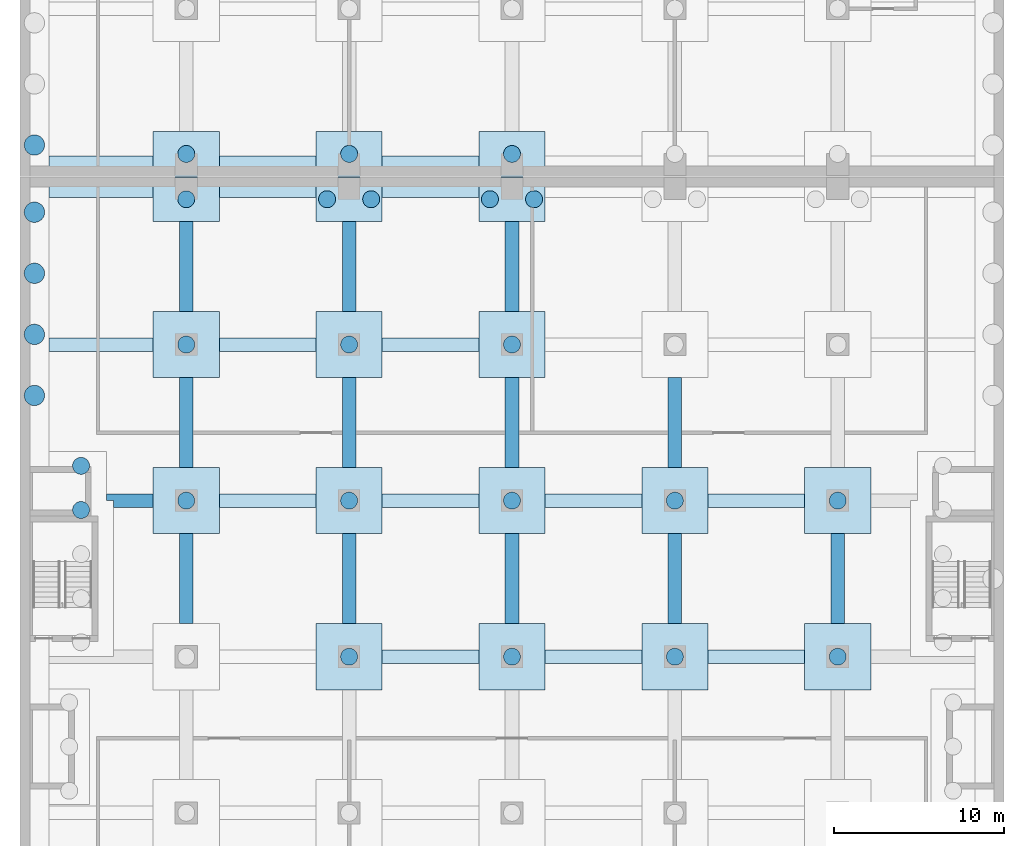
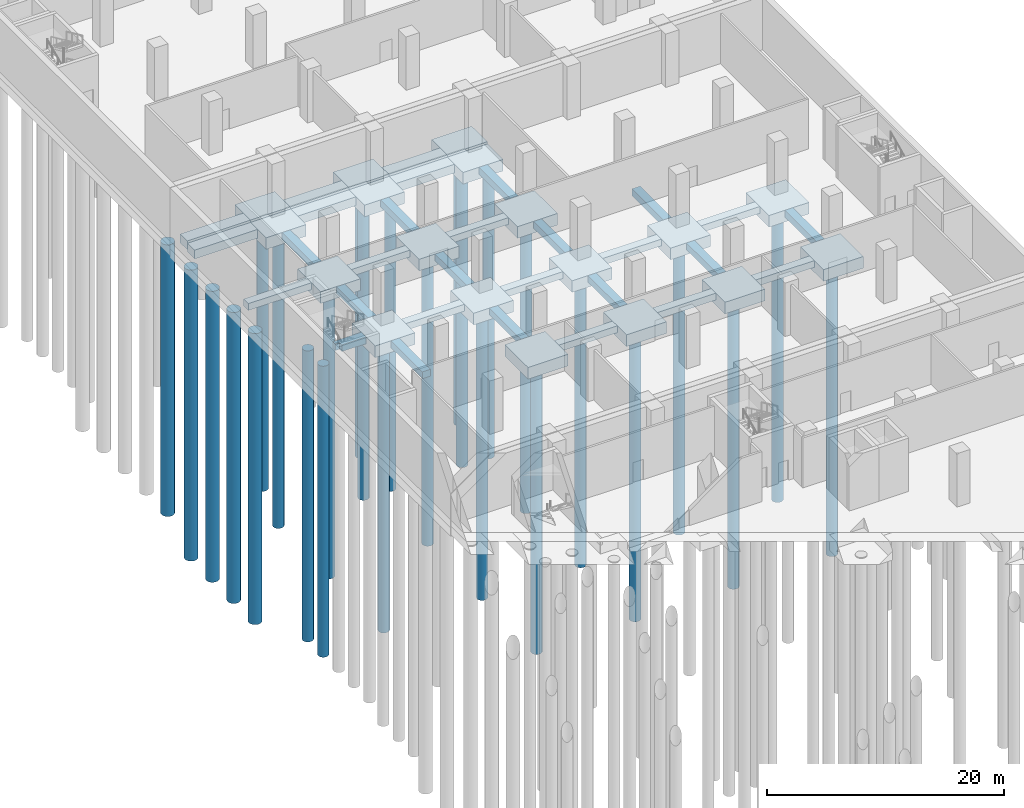
# One storey, part 5 of 33: 47 footings, 27 piles.
"""IFC4 building model written with IfcOpenShell, lengths in metres."""

from ifc_helpers import new_model, si_unit, direction, frame, origin, origin_2d, place, context, subcontext, project, spatial, polyline, circle, outline, extrude, material, layer, layer_set, material_profile, profile_set, type_object, element, save


model = new_model("IFC4")

# Units and contexts
model_context = context("Model", 3, precision=1e-05, world=origin(), true_north=direction((0.0, 1.0)))
body_context = subcontext(model_context, "Body", "Model", "MODEL_VIEW")
ifc_project = project(units=[si_unit("LENGTHUNIT", "METRE"), si_unit("AREAUNIT", "SQUARE_METRE"), si_unit("VOLUMEUNIT", "CUBIC_METRE"), si_unit("PLANEANGLEUNIT", "RADIAN"), si_unit("MASSUNIT", "GRAM", prefix="KILO")], contexts=[model_context])

# Site, building, storey
site_placement = place(None, origin())
site = spatial("IfcSite", under=ifc_project, at=site_placement, CompositionType="ELEMENT")
building_placement = place(site_placement, origin())
building = spatial("IfcBuilding", under=site, at=building_placement, Name="Nzadi Deep Aquarium and Research Tower", CompositionType="ELEMENT")
storey_placement = place(building_placement, frame((0.0, 0.0, -5.5)))
storey = spatial("IfcBuildingStorey", under=building, at=storey_placement, Name="B1", CompositionType="ELEMENT", Elevation=-5.5)

# Piles
ifc_material_1 = material(Name="Concrete C40/50", Category="concrete")
ifc_material_profile_1 = material_profile(ifc_material_1, circle(Radius=0.5, at=origin_2d()))
ifc_profile_set_1 = profile_set([ifc_material_profile_1], Name="Concrete C40/50")
pile_type_1 = type_object("IfcPileType", Name="Bored pile D1000", PredefinedType="BORED", material=ifc_profile_set_1)
for number, where, z_axis, x_axis, name in (
    (1, (19.199951171875, 65.800048828125, -1.89990234375), (0.0, 0.0, -1.0), (1.0, 0.0, 0.0), "P-Z2-14-1"),
    (2, (28.7998046875, 65.800048828125, -1.89990234375), (0.0, 0.0, -1.0), (1.0, 0.0, 0.0), "P-Z2-15-1"),
    (3, (38.39990234375, 65.800048828125, -1.89990234375), (0.0, 0.0, -1.0), (1.0, 0.0, 0.0), "P-Z2-16-1"),
    (4, (48.0, 65.800048828125, -1.89990234375), (0.0, 0.0, -1.0), (1.0, 0.0, 0.0), "P-Z2-17-1"),
    (5, (3.39990234375, 74.449951171875, -1.89990234375), (0.0, 0.0, -1.0), (1.0, 0.0, 0.0), "P-Z2-18-4"),
    (6, (3.39990234375, 77.050048828125, -1.89990234375), (0.0, 0.0, -1.0), (1.0, 0.0, 0.0), "P-Z2-18-5"),
    (7, (9.599853515625, 75.0, -1.89990234375), (0.0, 0.0, -1.0), (1.0, 0.0, 0.0), "P-Z2-20-1"),
    (8, (19.199951171875, 75.0, -1.89990234375), (0.0, 0.0, -1.0), (1.0, 0.0, 0.0), "P-Z2-21-1"),
    (9, (28.7998046875, 75.0, -1.89990234375), (0.0, 0.0, -1.0), (1.0, 0.0, 0.0), "P-Z2-22-1"),
    (10, (38.39990234375, 75.0, -1.89990234375), (0.0, 0.0, -1.0), (1.0, 0.0, 0.0), "P-Z2-23-1"),
    (11, (48.0, 75.0, -1.89990234375), (0.0, 0.0, -1.0), (1.0, 0.0, 0.0), "P-Z2-24-1"),
    (12, (9.599853515625, 84.199951171875, -1.89990234375), (0.0, 0.0, -1.0), (1.0, 0.0, 0.0), "P-Z2-25-1"),
    (13, (19.199951171875, 84.199951171875, -1.89990234375), (0.0, 0.0, -1.0), (1.0, 0.0, 0.0), "P-Z2-26-1"),
    (14, (28.7998046875, 84.199951171875, -1.89990234375), (0.0, 0.0, -1.0), (1.0, 0.0, 0.0), "P-Z2-27-1"),
    (15, (9.60009765625, 92.76513671875, -1.89990234375), (0.0, 0.0, -1.0), (1.0, 0.0, 0.0), "P-Z2-30-1"),
    (16, (17.89990234375, 92.76513671875, -1.89990234375), (0.0, 0.0, -1.0), (1.0, 0.0, 0.0), "P-Z2-31-1"),
    (17, (20.5, 92.76513671875, -1.89990234375), (0.0, 0.0, -1.0), (1.0, 0.0, 0.0), "P-Z2-31-2"),
    (18, (27.5, 92.76513671875, -1.89990234375), (0.0, 0.0, -1.0), (1.0, 0.0, 0.0), "P-Z2-32-1"),
    (19, (30.10009765625, 92.76513671875, -1.89990234375), (0.0, 0.0, -1.0), (1.0, 0.0, 0.0), "P-Z2-32-2"),
):
    element("IfcPile", number, at=place(storey_placement, frame(where, z_axis=z_axis, x_axis=x_axis)), inside=storey, type_object=pile_type_1, Name=name, PredefinedType="BORED", context=body_context, shape_type="SweptSolid", body=[
        extrude(circle(Radius=0.5, at=origin_2d()), origin(), (0.0, 0.0, 1.0), 30.0),
    ])
for number, where, z_axis, x_axis, name in (
    (20, (9.599853515625, 95.43505859375, -1.699951171875), (0.0, 0.0, -1.0), (1.0, 0.0, 0.0), "P-Z3-01-1"),
    (21, (19.199951171875, 95.43505859375, -1.699951171875), (0.0, 0.0, -1.0), (1.0, 0.0, 0.0), "P-Z3-02-1"),
    (22, (28.7998046875, 95.43505859375, -1.699951171875), (0.0, 0.0, -1.0), (1.0, 0.0, 0.0), "P-Z3-03-1"),
):
    element("IfcPile", number, at=place(storey_placement, frame(where, z_axis=z_axis, x_axis=x_axis)), inside=storey, type_object=pile_type_1, Name=name, PredefinedType="BORED", context=body_context, shape_type="SweptSolid", body=[
        extrude(circle(Radius=0.5, at=origin_2d()), origin(), (0.0, 0.0, 1.0), 28.0),
    ])
ifc_material_2 = material(Name="Concrete C40/50", Category="concrete")
ifc_material_profile_2 = material_profile(ifc_material_2, circle(Radius=0.60009765625, at=origin_2d()))
ifc_profile_set_2 = profile_set([ifc_material_profile_2], Name="Concrete C40/50")
pile_type_2 = type_object("IfcPileType", Name="Bored pile D1200", PredefinedType="BORED", material=ifc_profile_set_2)
for number, where, z_axis, x_axis, name in (
    (23, (0.64990234375, 81.199951171875, -1.60009765625), (0.0, 0.0, -1.0), (1.0, 0.0, 0.0), "P-Z2-Z2-W-3"),
    (24, (0.64990234375, 84.800048828125, -1.60009765625), (0.0, 0.0, -1.0), (1.0, 0.0, 0.0), "P-Z2-Z2-W-4"),
    (25, (0.64990234375, 88.39990234375, -1.60009765625), (0.0, 0.0, -1.0), (1.0, 0.0, 0.0), "P-Z2-Z2-W-5"),
    (26, (0.64990234375, 92.0, -1.60009765625), (0.0, 0.0, -1.0), (1.0, 0.0, 0.0), "P-Z2-Z2-W-6"),
):
    element("IfcPile", number, at=place(storey_placement, frame(where, z_axis=z_axis, x_axis=x_axis)), inside=storey, type_object=pile_type_2, Name=name, PredefinedType="BORED", context=body_context, shape_type="SweptSolid", body=[
        extrude(circle(Radius=0.60009765625, at=origin_2d()), origin(), (0.0, 0.0, 1.0), 30.0),
    ])
pile_placement = place(storey_placement, frame((0.64990234375, 95.9599609375, -1.39990234375), z_axis=(0.0, 0.0, -1.0), x_axis=(1.0, 0.0, 0.0)))
element("IfcPile", 27, at=pile_placement, inside=storey, type_object=pile_type_2, Name="P-Z3-Z3-W-1", PredefinedType="BORED", context=body_context, shape_type="SweptSolid", body=[
    extrude(circle(Radius=0.60009765625, at=origin_2d()), origin(), (0.0, 0.0, 1.0), 28.0),
])

# Footings
ifc_material_3 = material(Name="Concrete C40/50", Category="concrete")
ifc_layer_1 = layer(ifc_material_3, 0.699951171875)
ifc_layer_set_1 = layer_set([ifc_layer_1], Name="Concrete C40/50")
footing_type_1 = type_object("IfcFootingType", Name="RC ground beam 700", PredefinedType="FOOTING_BEAM", material=ifc_layer_set_1)
footing_1_placement = place(storey_placement, frame((0.0, 0.0, -1.5)))
element("IfcFooting", 28, at=footing_1_placement, inside=storey, type_object=footing_type_1, Name="SF-Z2-TX9-3", PredefinedType="FOOTING_BEAM", context=body_context, shape_type="SweptSolid", body=[
    extrude(outline(polyline([(26.85009765625, 66.199951171875), (21.14990234375, 66.199951171875), (21.14990234375, 65.39990234375), (26.85009765625, 65.39990234375), (26.85009765625, 66.199951171875)])), origin(), (0.0, 0.0, 1.0), 0.699951171875),
])
footing_2_placement = place(storey_placement, frame((0.0, 0.0, -1.5)))
element("IfcFooting", 29, at=footing_2_placement, inside=storey, type_object=footing_type_1, Name="SF-Z2-TX9-4", PredefinedType="FOOTING_BEAM", context=body_context, shape_type="SweptSolid", body=[
    extrude(outline(polyline([(36.449951171875, 66.199951171875), (30.75, 66.199951171875), (30.75, 65.39990234375), (36.449951171875, 65.39990234375), (36.449951171875, 66.199951171875)])), origin(), (0.0, 0.0, 1.0), 0.699951171875),
])
footing_3_placement = place(storey_placement, frame((0.0, 0.0, -1.5)))
element("IfcFooting", 30, at=footing_3_placement, inside=storey, type_object=footing_type_1, Name="SF-Z2-TX9-5", PredefinedType="FOOTING_BEAM", context=body_context, shape_type="SweptSolid", body=[
    extrude(outline(polyline([(46.050048828125, 66.199951171875), (40.35009765625, 66.199951171875), (40.35009765625, 65.39990234375), (46.050048828125, 65.39990234375), (46.050048828125, 66.199951171875)])), origin(), (0.0, 0.0, 1.0), 0.699951171875),
])
footing_4_placement = place(storey_placement, frame((0.0, 0.0, -1.5)))
element("IfcFooting", 31, at=footing_4_placement, inside=storey, type_object=footing_type_1, Name="SF-Z2-TX10-1", PredefinedType="FOOTING_BEAM", context=body_context, shape_type="SweptSolid", body=[
    extrude(outline(polyline([(7.64990234375, 75.39990234375), (4.89990234375, 75.39990234375), (4.89990234375, 75.050048828125), (4.900146484375, 75.045166015625), (4.90087890625, 75.040283203125), (4.902099609375, 75.035400390625), (4.90380859375, 75.03076171875), (4.906005859375, 75.0263671875), (4.908447265625, 75.022216796875), (4.911376953125, 75.018310546875), (4.91455078125, 75.0146484375), (4.918212890625, 75.01123046875), (4.922119140625, 75.008544921875), (4.926513671875, 75.005859375), (4.930908203125, 75.00390625), (4.935546875, 75.002197265625), (4.940185546875, 75.0009765625), (4.945068359375, 75.000244140625), (4.949951171875, 75.0), (5.298828125, 75.0), (5.300048828125, 75.0), (5.300048828125, 74.998779296875), (5.300048828125, 74.60009765625), (7.64990234375, 74.60009765625), (7.64990234375, 75.39990234375)])), origin(), (0.0, 0.0, 1.0), 0.699951171875),
])
footing_5_placement = place(storey_placement, frame((0.0, 0.0, -1.5)))
element("IfcFooting", 32, at=footing_5_placement, inside=storey, type_object=footing_type_1, Name="SF-Z2-TX10-2", PredefinedType="FOOTING_BEAM", context=body_context, shape_type="SweptSolid", body=[
    extrude(outline(polyline([(17.25, 75.39990234375), (11.550048828125, 75.39990234375), (11.550048828125, 74.60009765625), (17.25, 74.60009765625), (17.25, 75.39990234375)])), origin(), (0.0, 0.0, 1.0), 0.699951171875),
])
footing_6_placement = place(storey_placement, frame((0.0, 0.0, -1.5)))
element("IfcFooting", 33, at=footing_6_placement, inside=storey, type_object=footing_type_1, Name="SF-Z2-TX10-3", PredefinedType="FOOTING_BEAM", context=body_context, shape_type="SweptSolid", body=[
    extrude(outline(polyline([(26.85009765625, 75.39990234375), (21.14990234375, 75.39990234375), (21.14990234375, 74.60009765625), (26.85009765625, 74.60009765625), (26.85009765625, 75.39990234375)])), origin(), (0.0, 0.0, 1.0), 0.699951171875),
])
footing_7_placement = place(storey_placement, frame((0.0, 0.0, -1.5)))
element("IfcFooting", 34, at=footing_7_placement, inside=storey, type_object=footing_type_1, Name="SF-Z2-TX10-4", PredefinedType="FOOTING_BEAM", context=body_context, shape_type="SweptSolid", body=[
    extrude(outline(polyline([(36.449951171875, 75.39990234375), (30.75, 75.39990234375), (30.75, 74.60009765625), (36.449951171875, 74.60009765625), (36.449951171875, 75.39990234375)])), origin(), (0.0, 0.0, 1.0), 0.699951171875),
])
footing_8_placement = place(storey_placement, frame((0.0, 0.0, -1.5)))
element("IfcFooting", 35, at=footing_8_placement, inside=storey, type_object=footing_type_1, Name="SF-Z2-TX10-5", PredefinedType="FOOTING_BEAM", context=body_context, shape_type="SweptSolid", body=[
    extrude(outline(polyline([(46.050048828125, 75.39990234375), (40.35009765625, 75.39990234375), (40.35009765625, 74.60009765625), (46.050048828125, 74.60009765625), (46.050048828125, 75.39990234375)])), origin(), (0.0, 0.0, 1.0), 0.699951171875),
])
footing_9_placement = place(storey_placement, frame((0.0, 0.0, -1.5)))
element("IfcFooting", 36, at=footing_9_placement, inside=storey, type_object=footing_type_1, Name="SF-Z2-TX11-1", PredefinedType="FOOTING_BEAM", context=body_context, shape_type="SweptSolid", body=[
    extrude(outline(polyline([(7.64990234375, 84.60009765625), (1.5, 84.60009765625), (1.5, 83.800048828125), (7.64990234375, 83.800048828125), (7.64990234375, 84.60009765625)])), origin(), (0.0, 0.0, 1.0), 0.699951171875),
])
footing_10_placement = place(storey_placement, frame((0.0, 0.0, -1.5)))
element("IfcFooting", 37, at=footing_10_placement, inside=storey, type_object=footing_type_1, Name="SF-Z2-TX11-2", PredefinedType="FOOTING_BEAM", context=body_context, shape_type="SweptSolid", body=[
    extrude(outline(polyline([(17.25, 84.60009765625), (11.550048828125, 84.60009765625), (11.550048828125, 83.800048828125), (17.25, 83.800048828125), (17.25, 84.60009765625)])), origin(), (0.0, 0.0, 1.0), 0.699951171875),
])
footing_11_placement = place(storey_placement, frame((0.0, 0.0, -1.5)))
element("IfcFooting", 38, at=footing_11_placement, inside=storey, type_object=footing_type_1, Name="SF-Z2-TX11-3", PredefinedType="FOOTING_BEAM", context=body_context, shape_type="SweptSolid", body=[
    extrude(outline(polyline([(26.85009765625, 84.60009765625), (21.14990234375, 84.60009765625), (21.14990234375, 83.800048828125), (26.85009765625, 83.800048828125), (26.85009765625, 84.60009765625)])), origin(), (0.0, 0.0, 1.0), 0.699951171875),
])
footing_12_placement = place(storey_placement, frame((0.0, 0.0, -1.5)))
element("IfcFooting", 39, at=footing_12_placement, inside=storey, type_object=footing_type_1, Name="SF-Z2-TYB-3", PredefinedType="FOOTING_BEAM", context=body_context, shape_type="SweptSolid", body=[
    extrude(outline(polyline([(10.0, 67.75), (10.0, 73.050048828125), (9.199951171875, 73.050048828125), (9.199951171875, 67.75), (10.0, 67.75)])), origin(), (0.0, 0.0, 1.0), 0.699951171875),
])
footing_13_placement = place(storey_placement, frame((0.0, 0.0, -1.5)))
element("IfcFooting", 40, at=footing_13_placement, inside=storey, type_object=footing_type_1, Name="SF-Z2-TYB-4", PredefinedType="FOOTING_BEAM", context=body_context, shape_type="SweptSolid", body=[
    extrude(outline(polyline([(10.0, 76.949951171875), (10.0, 82.25), (9.199951171875, 82.25), (9.199951171875, 76.949951171875), (10.0, 76.949951171875)])), origin(), (0.0, 0.0, 1.0), 0.699951171875),
])
footing_14_placement = place(storey_placement, frame((0.0, 0.0, -1.5)))
element("IfcFooting", 41, at=footing_14_placement, inside=storey, type_object=footing_type_1, Name="SF-Z2-TYB-5", PredefinedType="FOOTING_BEAM", context=body_context, shape_type="SweptSolid", body=[
    extrude(outline(polyline([(10.0, 86.14990234375), (10.0, 91.449951171875), (9.199951171875, 91.449951171875), (9.199951171875, 86.14990234375), (10.0, 86.14990234375)])), origin(), (0.0, 0.0, 1.0), 0.699951171875),
])
footing_15_placement = place(storey_placement, frame((0.0, 0.0, -1.5)))
element("IfcFooting", 42, at=footing_15_placement, inside=storey, type_object=footing_type_1, Name="SF-Z2-TYC-3", PredefinedType="FOOTING_BEAM", context=body_context, shape_type="SweptSolid", body=[
    extrude(outline(polyline([(19.60009765625, 67.75), (19.60009765625, 73.050048828125), (18.800048828125, 73.050048828125), (18.800048828125, 67.75), (19.60009765625, 67.75)])), origin(), (0.0, 0.0, 1.0), 0.699951171875),
])
footing_16_placement = place(storey_placement, frame((0.0, 0.0, -1.5)))
element("IfcFooting", 43, at=footing_16_placement, inside=storey, type_object=footing_type_1, Name="SF-Z2-TYC-4", PredefinedType="FOOTING_BEAM", context=body_context, shape_type="SweptSolid", body=[
    extrude(outline(polyline([(19.60009765625, 76.949951171875), (19.60009765625, 82.25), (18.800048828125, 82.25), (18.800048828125, 76.949951171875), (19.60009765625, 76.949951171875)])), origin(), (0.0, 0.0, 1.0), 0.699951171875),
])
footing_17_placement = place(storey_placement, frame((0.0, 0.0, -1.5)))
element("IfcFooting", 44, at=footing_17_placement, inside=storey, type_object=footing_type_1, Name="SF-Z2-TYC-5", PredefinedType="FOOTING_BEAM", context=body_context, shape_type="SweptSolid", body=[
    extrude(outline(polyline([(19.60009765625, 86.14990234375), (19.60009765625, 91.449951171875), (18.800048828125, 91.449951171875), (18.800048828125, 86.14990234375), (19.60009765625, 86.14990234375)])), origin(), (0.0, 0.0, 1.0), 0.699951171875),
])
footing_18_placement = place(storey_placement, frame((0.0, 0.0, -1.5)))
element("IfcFooting", 45, at=footing_18_placement, inside=storey, type_object=footing_type_1, Name="SF-Z2-TYD-3", PredefinedType="FOOTING_BEAM", context=body_context, shape_type="SweptSolid", body=[
    extrude(outline(polyline([(29.199951171875, 67.75), (29.199951171875, 73.050048828125), (28.39990234375, 73.050048828125), (28.39990234375, 67.75), (29.199951171875, 67.75)])), origin(), (0.0, 0.0, 1.0), 0.699951171875),
])
footing_19_placement = place(storey_placement, frame((0.0, 0.0, -1.5)))
element("IfcFooting", 46, at=footing_19_placement, inside=storey, type_object=footing_type_1, Name="SF-Z2-TYD-4", PredefinedType="FOOTING_BEAM", context=body_context, shape_type="SweptSolid", body=[
    extrude(outline(polyline([(29.199951171875, 76.949951171875), (29.199951171875, 82.25), (28.39990234375, 82.25), (28.39990234375, 76.949951171875), (29.199951171875, 76.949951171875)])), origin(), (0.0, 0.0, 1.0), 0.699951171875),
])
footing_20_placement = place(storey_placement, frame((0.0, 0.0, -1.5)))
element("IfcFooting", 47, at=footing_20_placement, inside=storey, type_object=footing_type_1, Name="SF-Z2-TYD-5", PredefinedType="FOOTING_BEAM", context=body_context, shape_type="SweptSolid", body=[
    extrude(outline(polyline([(29.199951171875, 86.14990234375), (29.199951171875, 91.449951171875), (28.39990234375, 91.449951171875), (28.39990234375, 86.14990234375), (29.199951171875, 86.14990234375)])), origin(), (0.0, 0.0, 1.0), 0.699951171875),
])
footing_21_placement = place(storey_placement, frame((0.0, 0.0, -1.5)))
element("IfcFooting", 48, at=footing_21_placement, inside=storey, type_object=footing_type_1, Name="SF-Z2-TYE-3", PredefinedType="FOOTING_BEAM", context=body_context, shape_type="SweptSolid", body=[
    extrude(outline(polyline([(38.800048828125, 67.75), (38.800048828125, 73.050048828125), (38.0, 73.050048828125), (38.0, 67.75), (38.800048828125, 67.75)])), origin(), (0.0, 0.0, 1.0), 0.699951171875),
])
footing_22_placement = place(storey_placement, frame((0.0, 0.0, -1.5)))
element("IfcFooting", 49, at=footing_22_placement, inside=storey, type_object=footing_type_1, Name="SF-Z2-TYE-4", PredefinedType="FOOTING_BEAM", context=body_context, shape_type="SweptSolid", body=[
    extrude(outline(polyline([(38.800048828125, 76.949951171875), (38.800048828125, 82.25), (38.0, 82.25), (38.0, 76.949951171875), (38.800048828125, 76.949951171875)])), origin(), (0.0, 0.0, 1.0), 0.699951171875),
])
footing_23_placement = place(storey_placement, frame((0.0, 0.0, -1.5)))
element("IfcFooting", 50, at=footing_23_placement, inside=storey, type_object=footing_type_1, Name="SF-Z2-TYF-3", PredefinedType="FOOTING_BEAM", context=body_context, shape_type="SweptSolid", body=[
    extrude(outline(polyline([(48.39990234375, 67.75), (48.39990234375, 73.050048828125), (47.60009765625, 73.050048828125), (47.60009765625, 67.75), (48.39990234375, 67.75)])), origin(), (0.0, 0.0, 1.0), 0.699951171875),
])
ifc_material_4 = material(Name="Concrete C40/50", Category="concrete")
ifc_layer_2 = layer(ifc_material_4, 1.199951171875)
ifc_layer_set_2 = layer_set([ifc_layer_2], Name="Concrete C40/50")
footing_type_2 = type_object("IfcFootingType", Name="RC pile cap 1200", PredefinedType="PILE_CAP", material=ifc_layer_set_2)
footing_24_placement = place(storey_placement, frame((0.0, 0.0, -2.0)))
element("IfcFooting", 51, at=footing_24_placement, inside=storey, type_object=footing_type_2, Name="PC-Z2-14", PredefinedType="PILE_CAP", context=body_context, shape_type="SweptSolid", body=[
    extrude(outline(polyline([(17.25, 63.851318359375), (17.25, 63.85009765625), (17.251220703125, 63.85009765625), (21.148681640625, 63.85009765625), (21.14990234375, 63.85009765625), (21.14990234375, 63.851318359375), (21.14990234375, 67.748779296875), (21.14990234375, 67.75), (21.148681640625, 67.75), (17.251220703125, 67.75), (17.25, 67.75), (17.25, 67.748779296875), (17.25, 63.851318359375)])), origin(), (0.0, 0.0, 1.0), 1.199951171875),
])
footing_25_placement = place(storey_placement, frame((0.0, 0.0, -2.0)))
element("IfcFooting", 52, at=footing_25_placement, inside=storey, type_object=footing_type_2, Name="PC-Z2-15", PredefinedType="PILE_CAP", context=body_context, shape_type="SweptSolid", body=[
    extrude(outline(polyline([(26.85009765625, 63.851318359375), (26.85009765625, 63.85009765625), (26.851318359375, 63.85009765625), (30.748779296875, 63.85009765625), (30.75, 63.85009765625), (30.75, 63.851318359375), (30.75, 67.748779296875), (30.75, 67.75), (30.748779296875, 67.75), (26.851318359375, 67.75), (26.85009765625, 67.75), (26.85009765625, 67.748779296875), (26.85009765625, 63.851318359375)])), origin(), (0.0, 0.0, 1.0), 1.199951171875),
])
footing_26_placement = place(storey_placement, frame((0.0, 0.0, -2.0)))
element("IfcFooting", 53, at=footing_26_placement, inside=storey, type_object=footing_type_2, Name="PC-Z2-16", PredefinedType="PILE_CAP", context=body_context, shape_type="SweptSolid", body=[
    extrude(outline(polyline([(36.449951171875, 63.851318359375), (36.449951171875, 63.85009765625), (36.451171875, 63.85009765625), (40.348876953125, 63.85009765625), (40.349853515625, 63.85009765625), (40.35009765625, 63.851318359375), (40.35009765625, 67.748779296875), (40.349853515625, 67.75), (40.348876953125, 67.75), (36.451171875, 67.75), (36.449951171875, 67.75), (36.449951171875, 67.748779296875), (36.449951171875, 63.851318359375)])), origin(), (0.0, 0.0, 1.0), 1.199951171875),
])
footing_27_placement = place(storey_placement, frame((0.0, 0.0, -2.0)))
element("IfcFooting", 54, at=footing_27_placement, inside=storey, type_object=footing_type_2, Name="PC-Z2-17", PredefinedType="PILE_CAP", context=body_context, shape_type="SweptSolid", body=[
    extrude(outline(polyline([(46.050048828125, 63.851318359375), (46.050048828125, 63.85009765625), (46.05126953125, 63.85009765625), (49.94873046875, 63.85009765625), (49.949951171875, 63.85009765625), (49.949951171875, 63.851318359375), (49.949951171875, 67.748779296875), (49.949951171875, 67.75), (49.94873046875, 67.75), (46.05126953125, 67.75), (46.050048828125, 67.75), (46.050048828125, 67.748779296875), (46.050048828125, 63.851318359375)])), origin(), (0.0, 0.0, 1.0), 1.199951171875),
])
footing_28_placement = place(storey_placement, frame((0.0, 0.0, -2.0)))
element("IfcFooting", 55, at=footing_28_placement, inside=storey, type_object=footing_type_2, Name="PC-Z2-20", PredefinedType="PILE_CAP", context=body_context, shape_type="SweptSolid", body=[
    extrude(outline(polyline([(7.64990234375, 73.05126953125), (7.650146484375, 73.050048828125), (7.651123046875, 73.050048828125), (11.548828125, 73.050048828125), (11.550048828125, 73.050048828125), (11.550048828125, 73.05126953125), (11.550048828125, 76.94873046875), (11.550048828125, 76.949951171875), (11.548828125, 76.949951171875), (7.651123046875, 76.949951171875), (7.650146484375, 76.949951171875), (7.64990234375, 76.94873046875), (7.64990234375, 73.05126953125)])), origin(), (0.0, 0.0, 1.0), 1.199951171875),
])
footing_29_placement = place(storey_placement, frame((0.0, 0.0, -2.0)))
element("IfcFooting", 56, at=footing_29_placement, inside=storey, type_object=footing_type_2, Name="PC-Z2-21", PredefinedType="PILE_CAP", context=body_context, shape_type="SweptSolid", body=[
    extrude(outline(polyline([(17.25, 73.05126953125), (17.25, 73.050048828125), (17.251220703125, 73.050048828125), (21.148681640625, 73.050048828125), (21.14990234375, 73.050048828125), (21.14990234375, 73.05126953125), (21.14990234375, 76.94873046875), (21.14990234375, 76.949951171875), (21.148681640625, 76.949951171875), (17.251220703125, 76.949951171875), (17.25, 76.949951171875), (17.25, 76.94873046875), (17.25, 73.05126953125)])), origin(), (0.0, 0.0, 1.0), 1.199951171875),
])
footing_30_placement = place(storey_placement, frame((0.0, 0.0, -2.0)))
element("IfcFooting", 57, at=footing_30_placement, inside=storey, type_object=footing_type_2, Name="PC-Z2-22", PredefinedType="PILE_CAP", context=body_context, shape_type="SweptSolid", body=[
    extrude(outline(polyline([(26.85009765625, 73.05126953125), (26.85009765625, 73.050048828125), (26.851318359375, 73.050048828125), (30.748779296875, 73.050048828125), (30.75, 73.050048828125), (30.75, 73.05126953125), (30.75, 76.94873046875), (30.75, 76.949951171875), (30.748779296875, 76.949951171875), (26.851318359375, 76.949951171875), (26.85009765625, 76.949951171875), (26.85009765625, 76.94873046875), (26.85009765625, 73.05126953125)])), origin(), (0.0, 0.0, 1.0), 1.199951171875),
])
footing_31_placement = place(storey_placement, frame((0.0, 0.0, -2.0)))
element("IfcFooting", 58, at=footing_31_placement, inside=storey, type_object=footing_type_2, Name="PC-Z2-23", PredefinedType="PILE_CAP", context=body_context, shape_type="SweptSolid", body=[
    extrude(outline(polyline([(36.449951171875, 73.05126953125), (36.449951171875, 73.050048828125), (36.451171875, 73.050048828125), (40.348876953125, 73.050048828125), (40.349853515625, 73.050048828125), (40.35009765625, 73.05126953125), (40.35009765625, 76.94873046875), (40.349853515625, 76.949951171875), (40.348876953125, 76.949951171875), (36.451171875, 76.949951171875), (36.449951171875, 76.949951171875), (36.449951171875, 76.94873046875), (36.449951171875, 73.05126953125)])), origin(), (0.0, 0.0, 1.0), 1.199951171875),
])
footing_32_placement = place(storey_placement, frame((0.0, 0.0, -2.0)))
element("IfcFooting", 59, at=footing_32_placement, inside=storey, type_object=footing_type_2, Name="PC-Z2-24", PredefinedType="PILE_CAP", context=body_context, shape_type="SweptSolid", body=[
    extrude(outline(polyline([(46.050048828125, 73.05126953125), (46.050048828125, 73.050048828125), (46.05126953125, 73.050048828125), (49.94873046875, 73.050048828125), (49.949951171875, 73.050048828125), (49.949951171875, 73.05126953125), (49.949951171875, 76.94873046875), (49.949951171875, 76.949951171875), (49.94873046875, 76.949951171875), (46.05126953125, 76.949951171875), (46.050048828125, 76.949951171875), (46.050048828125, 76.94873046875), (46.050048828125, 73.05126953125)])), origin(), (0.0, 0.0, 1.0), 1.199951171875),
])
footing_33_placement = place(storey_placement, frame((0.0, 0.0, -2.0)))
element("IfcFooting", 60, at=footing_33_placement, inside=storey, type_object=footing_type_2, Name="PC-Z2-25", PredefinedType="PILE_CAP", context=body_context, shape_type="SweptSolid", body=[
    extrude(outline(polyline([(7.64990234375, 82.251220703125), (7.650146484375, 82.25), (7.651123046875, 82.25), (11.548828125, 82.25), (11.550048828125, 82.25), (11.550048828125, 82.251220703125), (11.550048828125, 86.148681640625), (11.550048828125, 86.14990234375), (11.548828125, 86.14990234375), (7.651123046875, 86.14990234375), (7.650146484375, 86.14990234375), (7.64990234375, 86.148681640625), (7.64990234375, 82.251220703125)])), origin(), (0.0, 0.0, 1.0), 1.199951171875),
])
footing_34_placement = place(storey_placement, frame((0.0, 0.0, -2.0)))
element("IfcFooting", 61, at=footing_34_placement, inside=storey, type_object=footing_type_2, Name="PC-Z2-26", PredefinedType="PILE_CAP", context=body_context, shape_type="SweptSolid", body=[
    extrude(outline(polyline([(17.25, 82.251220703125), (17.25, 82.25), (17.251220703125, 82.25), (21.148681640625, 82.25), (21.14990234375, 82.25), (21.14990234375, 82.251220703125), (21.14990234375, 86.148681640625), (21.14990234375, 86.14990234375), (21.148681640625, 86.14990234375), (17.251220703125, 86.14990234375), (17.25, 86.14990234375), (17.25, 86.148681640625), (17.25, 82.251220703125)])), origin(), (0.0, 0.0, 1.0), 1.199951171875),
])
footing_35_placement = place(storey_placement, frame((0.0, 0.0, -2.0)))
element("IfcFooting", 62, at=footing_35_placement, inside=storey, type_object=footing_type_2, Name="PC-Z2-27", PredefinedType="PILE_CAP", context=body_context, shape_type="SweptSolid", body=[
    extrude(outline(polyline([(26.85009765625, 82.251220703125), (26.85009765625, 82.25), (26.851318359375, 82.25), (30.748779296875, 82.25), (30.75, 82.25), (30.75, 82.251220703125), (30.75, 86.148681640625), (30.75, 86.14990234375), (30.748779296875, 86.14990234375), (26.851318359375, 86.14990234375), (26.85009765625, 86.14990234375), (26.85009765625, 86.148681640625), (26.85009765625, 82.251220703125)])), origin(), (0.0, 0.0, 1.0), 1.199951171875),
])
footing_36_placement = place(storey_placement, frame((0.0, 0.0, -2.0)))
element("IfcFooting", 63, at=footing_36_placement, inside=storey, type_object=footing_type_2, Name="PC-Z2-30", PredefinedType="PILE_CAP", context=body_context, shape_type="SweptSolid", body=[
    extrude(outline(polyline([(7.64990234375, 91.451171875), (7.650146484375, 91.449951171875), (7.651123046875, 91.449951171875), (11.548828125, 91.449951171875), (11.550048828125, 91.449951171875), (11.550048828125, 91.451171875), (11.550048828125, 94.080078125), (7.64990234375, 94.080078125), (7.64990234375, 91.451171875)])), origin(), (0.0, 0.0, 1.0), 1.199951171875),
])
footing_37_placement = place(storey_placement, frame((0.0, 0.0, -2.0)))
element("IfcFooting", 64, at=footing_37_placement, inside=storey, type_object=footing_type_2, Name="PC-Z2-31", PredefinedType="PILE_CAP", context=body_context, shape_type="SweptSolid", body=[
    extrude(outline(polyline([(17.25, 91.451171875), (17.25, 91.449951171875), (17.251220703125, 91.449951171875), (21.148681640625, 91.449951171875), (21.14990234375, 91.449951171875), (21.14990234375, 91.451171875), (21.14990234375, 94.080078125), (17.25, 94.080078125), (17.25, 91.451171875)])), origin(), (0.0, 0.0, 1.0), 1.199951171875),
])
footing_38_placement = place(storey_placement, frame((0.0, 0.0, -2.0)))
element("IfcFooting", 65, at=footing_38_placement, inside=storey, type_object=footing_type_2, Name="PC-Z2-32", PredefinedType="PILE_CAP", context=body_context, shape_type="SweptSolid", body=[
    extrude(outline(polyline([(26.85009765625, 91.451171875), (26.85009765625, 91.449951171875), (26.851318359375, 91.449951171875), (30.748779296875, 91.449951171875), (30.75, 91.449951171875), (30.75, 91.451171875), (30.75, 94.080078125), (26.85009765625, 94.080078125), (26.85009765625, 91.451171875)])), origin(), (0.0, 0.0, 1.0), 1.199951171875),
])
footing_39_placement = place(storey_placement, frame((0.0, 0.0, -1.800048828125)))
element("IfcFooting", 66, at=footing_39_placement, inside=storey, type_object=footing_type_2, Name="PC-Z3-01", PredefinedType="PILE_CAP", context=body_context, shape_type="SweptSolid", body=[
    extrude(outline(polyline([(7.650146484375, 96.75), (7.64990234375, 96.748779296875), (7.64990234375, 94.1201171875), (11.550048828125, 94.1201171875), (11.550048828125, 96.748779296875), (11.550048828125, 96.75), (11.548828125, 96.75), (7.651123046875, 96.75), (7.650146484375, 96.75)])), origin(), (0.0, 0.0, 1.0), 1.199951171875),
])
footing_40_placement = place(storey_placement, frame((0.0, 0.0, -1.800048828125)))
element("IfcFooting", 67, at=footing_40_placement, inside=storey, type_object=footing_type_2, Name="PC-Z3-02", PredefinedType="PILE_CAP", context=body_context, shape_type="SweptSolid", body=[
    extrude(outline(polyline([(17.25, 96.75), (17.25, 96.748779296875), (17.25, 94.1201171875), (21.14990234375, 94.1201171875), (21.14990234375, 96.748779296875), (21.14990234375, 96.75), (21.148681640625, 96.75), (17.251220703125, 96.75), (17.25, 96.75)])), origin(), (0.0, 0.0, 1.0), 1.199951171875),
])
footing_41_placement = place(storey_placement, frame((0.0, 0.0, -1.800048828125)))
element("IfcFooting", 68, at=footing_41_placement, inside=storey, type_object=footing_type_2, Name="PC-Z3-03", PredefinedType="PILE_CAP", context=body_context, shape_type="SweptSolid", body=[
    extrude(outline(polyline([(26.85009765625, 96.75), (26.85009765625, 96.748779296875), (26.85009765625, 94.1201171875), (30.75, 94.1201171875), (30.75, 96.748779296875), (30.75, 96.75), (30.748779296875, 96.75), (26.851318359375, 96.75), (26.85009765625, 96.75)])), origin(), (0.0, 0.0, 1.0), 1.199951171875),
])
ifc_material_5 = material(Name="Concrete C40/50", Category="concrete")
ifc_layer_3 = layer(ifc_material_5, 0.89990234375)
ifc_layer_set_3 = layer_set([ifc_layer_3], Name="Concrete C40/50")
footing_type_3 = type_object("IfcFootingType", Name="RC strip footing 900", PredefinedType="STRIP_FOOTING", material=ifc_layer_set_3)
footing_42_placement = place(storey_placement, frame((0.0, 0.0, -1.699951171875)))
element("IfcFooting", 69, at=footing_42_placement, inside=storey, type_object=footing_type_3, Name="SF-Z2-N-4", PredefinedType="STRIP_FOOTING", context=body_context, shape_type="SweptSolid", body=[
    extrude(outline(polyline([(26.85009765625, 94.080078125), (21.14990234375, 94.080078125), (21.14990234375, 92.8798828125), (26.85009765625, 92.8798828125), (26.85009765625, 94.080078125)])), origin(), (0.0, 0.0, 1.0), 0.89990234375),
])
footing_43_placement = place(storey_placement, frame((0.0, 0.0, -1.699951171875)))
element("IfcFooting", 70, at=footing_43_placement, inside=storey, type_object=footing_type_3, Name="SF-Z2-N-5", PredefinedType="STRIP_FOOTING", context=body_context, shape_type="SweptSolid", body=[
    extrude(outline(polyline([(17.25, 94.080078125), (11.550048828125, 94.080078125), (11.550048828125, 92.8798828125), (17.25, 92.8798828125), (17.25, 94.080078125)])), origin(), (0.0, 0.0, 1.0), 0.89990234375),
])
footing_44_placement = place(storey_placement, frame((0.0, 0.0, -1.699951171875)))
element("IfcFooting", 71, at=footing_44_placement, inside=storey, type_object=footing_type_3, Name="SF-Z2-N-6", PredefinedType="STRIP_FOOTING", context=body_context, shape_type="SweptSolid", body=[
    extrude(outline(polyline([(1.5, 92.8798828125), (7.64990234375, 92.8798828125), (7.64990234375, 94.080078125), (1.5, 94.080078125), (1.5, 92.8798828125)])), origin(), (0.0, 0.0, 1.0), 0.89990234375),
])
footing_45_placement = place(storey_placement, frame((0.0, 0.0, -1.5)))
element("IfcFooting", 72, at=footing_45_placement, inside=storey, type_object=footing_type_3, Name="SF-Z3-S-4", PredefinedType="STRIP_FOOTING", context=body_context, shape_type="SweptSolid", body=[
    extrude(outline(polyline([(26.85009765625, 95.320068359375), (21.14990234375, 95.320068359375), (21.14990234375, 94.1201171875), (26.85009765625, 94.1201171875), (26.85009765625, 95.320068359375)])), origin(), (0.0, 0.0, 1.0), 0.89990234375),
])
footing_46_placement = place(storey_placement, frame((0.0, 0.0, -1.5)))
element("IfcFooting", 73, at=footing_46_placement, inside=storey, type_object=footing_type_3, Name="SF-Z3-S-5", PredefinedType="STRIP_FOOTING", context=body_context, shape_type="SweptSolid", body=[
    extrude(outline(polyline([(17.25, 95.320068359375), (11.550048828125, 95.320068359375), (11.550048828125, 94.1201171875), (17.25, 94.1201171875), (17.25, 95.320068359375)])), origin(), (0.0, 0.0, 1.0), 0.89990234375),
])
footing_47_placement = place(storey_placement, frame((0.0, 0.0, -1.5)))
element("IfcFooting", 74, at=footing_47_placement, inside=storey, type_object=footing_type_3, Name="SF-Z3-S-6", PredefinedType="STRIP_FOOTING", context=body_context, shape_type="SweptSolid", body=[
    extrude(outline(polyline([(1.5, 94.1201171875), (7.64990234375, 94.1201171875), (7.64990234375, 95.320068359375), (1.5, 95.320068359375), (1.5, 94.1201171875)])), origin(), (0.0, 0.0, 1.0), 0.89990234375),
])

save(model, "model.ifc")
